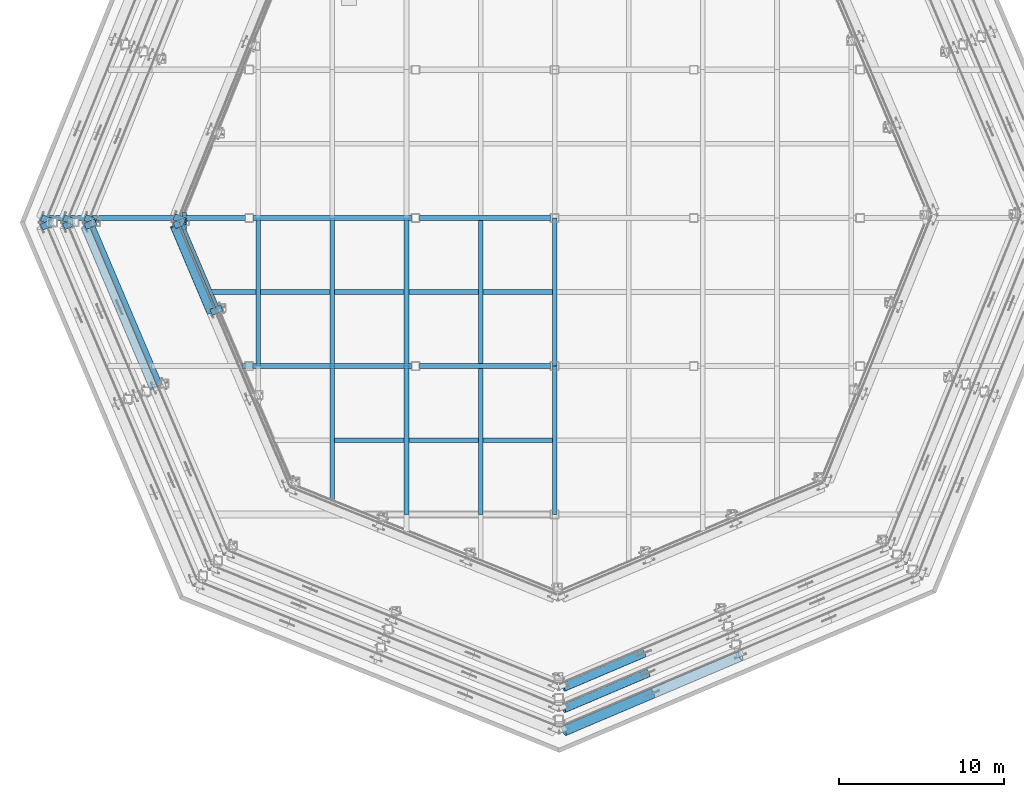
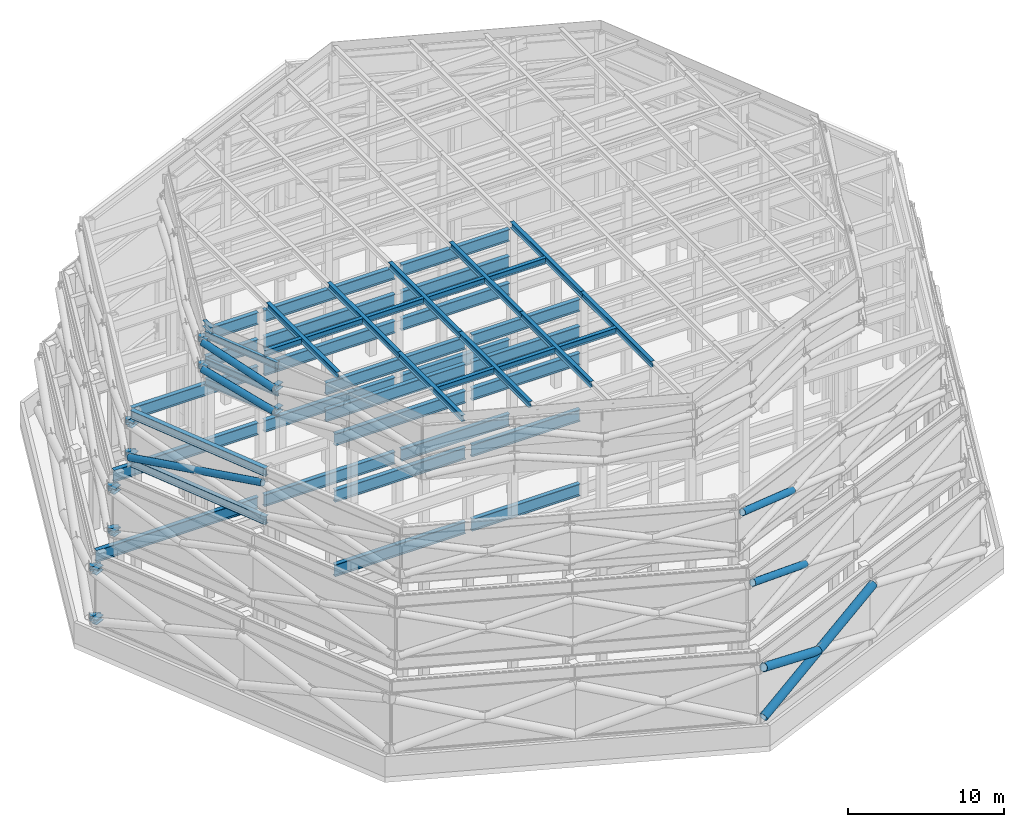
# One storey, part 5 of 19: 48 beams, 25 members.
"""IFC4 building model written with IfcOpenShell, lengths in metres."""

from ifc_helpers import new_model, si_unit, direction, frame, origin, origin_2d, place, context, subcontext, project, spatial, hollow_circle, i_section, extrude, material, material_profile, profile_set, type_object, element, save


model = new_model("IFC4")

# Units and contexts
model_context = context("Model", 3, precision=1e-05, world=origin(), true_north=direction((0.0, 1.0)))
body_context = subcontext(model_context, "Body", "Model", "MODEL_VIEW")
ifc_project = project(units=[si_unit("LENGTHUNIT", "METRE"), si_unit("AREAUNIT", "SQUARE_METRE"), si_unit("VOLUMEUNIT", "CUBIC_METRE"), si_unit("PLANEANGLEUNIT", "RADIAN"), si_unit("MASSUNIT", "GRAM", prefix="KILO")], contexts=[model_context])

# Site, building, storey
site_placement = place(None, origin())
site = spatial("IfcSite", under=ifc_project, at=site_placement, CompositionType="ELEMENT")
building_placement = place(site_placement, origin())
building = spatial("IfcBuilding", under=site, at=building_placement, Name="Orlundy Tower", CompositionType="ELEMENT")
storey_placement = place(building_placement, frame((0.0, 0.0, 304.300048828125)))
storey = spatial("IfcBuildingStorey", under=building, at=storey_placement, Name="Roof", CompositionType="ELEMENT", Elevation=304.300048828125)

# Beams
ifc_material_1 = material(Name="Steel ASTM A992 Gr 50", Category="steel")
ifc_material_profile_1 = material_profile(ifc_material_1, i_section(OverallWidth=0.2802734375, OverallDepth=0.46240234375, WebThickness=0.0107421875, FlangeThickness=0.017333984375, at=origin_2d()), Name="W18X76")
ifc_profile_set_1 = profile_set([ifc_material_profile_1], Name="Steel ASTM A992 Gr 50")
beam_type_1 = type_object("IfcBeamType", Name="CROWN FRAME beam W18X76", PredefinedType="BEAM", material=ifc_profile_set_1)
beam_1_placement = place(storey_placement, frame((-22.5, -0.705322265625, 21.131103515625), z_axis=(0.0, 1.0, 0.0), x_axis=(-1.0, 0.0, 0.0)))
element("IfcBeam", 1, at=beam_1_placement, inside=storey, type_object=beam_type_1, Name="CROWN FRAME secondary beam 01A", PredefinedType="BEAM", context=body_context, shape_type="SweptSolid", body=[
    extrude(i_section(OverallWidth=0.2802734375, OverallDepth=0.46240234375, WebThickness=0.0107421875, FlangeThickness=0.017333984375, at=origin_2d()), origin(), (0.0, 0.0, 1.0), 1.039794921875),
])
beam_2_placement = place(storey_placement, frame((-18.0, -9.0, 21.131103515625), z_axis=(0.0, 1.0, 0.0), x_axis=(-1.0, 0.0, 0.0)))
element("IfcBeam", 2, at=beam_2_placement, inside=storey, type_object=beam_type_1, Name="CROWN FRAME secondary beam 02B", PredefinedType="BEAM", context=body_context, shape_type="SweptSolid", body=[
    extrude(i_section(OverallWidth=0.2802734375, OverallDepth=0.46240234375, WebThickness=0.0107421875, FlangeThickness=0.017333984375, at=origin_2d()), origin(), (0.0, 0.0, 1.0), 9.0),
])
beam_3_placement = place(storey_placement, frame((-13.5, -17.180908203125, 21.131103515625), z_axis=(0.0, 1.0, 0.0), x_axis=(-1.0, 0.0, 0.0)))
element("IfcBeam", 3, at=beam_3_placement, inside=storey, type_object=beam_type_1, Name="CROWN FRAME secondary beam 03A", PredefinedType="BEAM", context=body_context, shape_type="SweptSolid", body=[
    extrude(i_section(OverallWidth=0.2802734375, OverallDepth=0.46240234375, WebThickness=0.0107421875, FlangeThickness=0.017333984375, at=origin_2d()), origin(), (0.0, 0.0, 1.0), 8.180908203125),
])
for number, where, z_axis, x_axis, name in (
    (4, (-13.5, -9.0, 21.131103515625), (0.0, 1.0, 0.0), (-1.0, 0.0, 0.0), "CROWN FRAME secondary beam 03B"),
    (5, (-9.0, -18.0, 21.131103515625), (0.0, 1.0, 0.0), (-1.0, 0.0, 0.0), "CROWN FRAME secondary beam 04B"),
    (6, (-9.0, -9.0, 21.131103515625), (0.0, 1.0, 0.0), (-1.0, 0.0, 0.0), "CROWN FRAME secondary beam 04C"),
    (7, (-4.5, -18.0, 21.131103515625), (0.0, 1.0, 0.0), (-1.0, 0.0, 0.0), "CROWN FRAME secondary beam 05B"),
    (8, (-4.5, -9.0, 21.131103515625), (0.0, 1.0, 0.0), (-1.0, 0.0, 0.0), "CROWN FRAME secondary beam 05C"),
    (9, (0.0, -18.0, 21.131103515625), (0.0, 1.0, 0.0), (-1.0, 0.0, 0.0), "CROWN FRAME secondary beam 06B"),
    (10, (0.0, -9.0, 21.131103515625), (0.0, 1.0, 0.0), (-1.0, 0.0, 0.0), "CROWN FRAME secondary beam 06C"),
):
    element("IfcBeam", number, at=place(storey_placement, frame(where, z_axis=z_axis, x_axis=x_axis)), inside=storey, type_object=beam_type_1, Name=name, PredefinedType="BEAM", context=body_context, shape_type="SweptSolid", body=[
        extrude(i_section(OverallWidth=0.2802734375, OverallDepth=0.46240234375, WebThickness=0.0107421875, FlangeThickness=0.017333984375, at=origin_2d()), origin(), (0.0, 0.0, 1.0), 9.0),
    ])
for number, where, z_axis, x_axis, name in (
    (11, (-13.35986328125, -13.5, 21.131103515625), (1.0, 0.0, 0.0), (0.0, 1.0, 0.0), "CROWN FRAME cap cross beam 1B"),
    (12, (-8.85986328125, -13.5, 21.131103515625), (1.0, 0.0, 0.0), (0.0, 1.0, 0.0), "CROWN FRAME cap cross beam 1C"),
    (13, (-4.35986328125, -13.5, 21.131103515625), (1.0, 0.0, 0.0), (0.0, 1.0, 0.0), "CROWN FRAME cap cross beam 1D"),
):
    element("IfcBeam", number, at=place(storey_placement, frame(where, z_axis=z_axis, x_axis=x_axis)), inside=storey, type_object=beam_type_1, Name=name, PredefinedType="BEAM", context=body_context, shape_type="SweptSolid", body=[
        extrude(i_section(OverallWidth=0.2802734375, OverallDepth=0.46240234375, WebThickness=0.0107421875, FlangeThickness=0.017333984375, at=origin_2d()), origin(), (0.0, 0.0, 1.0), 4.2197265625),
    ])
beam_4_placement = place(storey_placement, frame((-20.889404296875, -4.5, 21.131103515625), z_axis=(1.0, 0.0, 0.0), x_axis=(0.0, 1.0, 0.0)))
element("IfcBeam", 14, at=beam_4_placement, inside=storey, type_object=beam_type_1, Name="CROWN FRAME cap cross beam 2A", PredefinedType="BEAM", context=body_context, shape_type="SweptSolid", body=[
    extrude(i_section(OverallWidth=0.2802734375, OverallDepth=0.46240234375, WebThickness=0.0107421875, FlangeThickness=0.017333984375, at=origin_2d()), origin(), (0.0, 0.0, 1.0), 2.749267578125),
])
for number, where, z_axis, x_axis, name in (
    (15, (-17.85986328125, -4.5, 21.131103515625), (1.0, 0.0, 0.0), (0.0, 1.0, 0.0), "CROWN FRAME cap cross beam 2B"),
    (16, (-13.35986328125, -4.5, 21.131103515625), (1.0, 0.0, 0.0), (0.0, 1.0, 0.0), "CROWN FRAME cap cross beam 2C"),
    (17, (-8.85986328125, -4.5, 21.131103515625), (1.0, 0.0, 0.0), (0.0, 1.0, 0.0), "CROWN FRAME cap cross beam 2D"),
    (18, (-4.35986328125, -4.5, 21.131103515625), (1.0, 0.0, 0.0), (0.0, 1.0, 0.0), "CROWN FRAME cap cross beam 2E"),
):
    element("IfcBeam", number, at=place(storey_placement, frame(where, z_axis=z_axis, x_axis=x_axis)), inside=storey, type_object=beam_type_1, Name=name, PredefinedType="BEAM", context=body_context, shape_type="SweptSolid", body=[
        extrude(i_section(OverallWidth=0.2802734375, OverallDepth=0.46240234375, WebThickness=0.0107421875, FlangeThickness=0.017333984375, at=origin_2d()), origin(), (0.0, 0.0, 1.0), 4.2197265625),
    ])
ifc_material_2 = material(Name="Steel ASTM A992 Gr 50", Category="steel")
ifc_material_profile_2 = material_profile(ifc_material_2, i_section(OverallWidth=0.2138671875, OverallDepth=0.549072265625, WebThickness=0.0146484375, FlangeThickness=0.023681640625, at=origin_2d()), Name="W21X93")
ifc_profile_set_2 = profile_set([ifc_material_profile_2], Name="Steel ASTM A992 Gr 50")
beam_type_2 = type_object("IfcBeamType", Name="CROWN FRAME beam W21X93", PredefinedType="BEAM", material=ifc_profile_set_2)
for number, where, z_axis, x_axis, name in (
    (19, (-22.715087890625, -0.198486328125, 16.974365234375), (0.390721951602, -0.920508748756, 0.0), (0.920508748756, 0.390721951602, 0.0), "CROWN FRAME foot ring beam 4-10"),
    (20, (-22.715087890625, -0.198486328125, 18.525390625), (0.390721951602, -0.920508748756, 0.0), (0.920508748756, 0.390721951602, 0.0), "CROWN FRAME head ring beam 4-10"),
    (21, (-22.715087890625, -0.198486328125, 20.62548828125), (0.390721951602, -0.920508748756, 0.0), (0.920508748756, 0.390721951602, 0.0), "CROWN FRAME head ring beam 5-10"),
):
    element("IfcBeam", number, at=place(storey_placement, frame(where, z_axis=z_axis, x_axis=x_axis)), inside=storey, type_object=beam_type_2, Name=name, PredefinedType="BEAM", context=body_context, shape_type="SweptSolid", body=[
        extrude(i_section(OverallWidth=0.2138671875, OverallDepth=0.549072265625, WebThickness=0.0146484375, FlangeThickness=0.023681640625, at=origin_2d()), origin(), (0.0, 0.0, 1.0), 5.82861328125),
    ])
ifc_material_3 = material(Name="Steel ASTM A992 Gr 50", Category="steel")
ifc_material_profile_3 = material_profile(ifc_material_3, i_section(OverallWidth=0.3291015625, OverallDepth=0.635009765625, WebThickness=0.017822265625, FlangeThickness=0.031005859375, at=origin_2d()), Name="W24X162")
ifc_profile_set_3 = profile_set([ifc_material_profile_3], Name="Steel ASTM A992 Gr 50")
beam_type_3 = type_object("IfcBeamType", Name="CROWN FRAME beam W24X162", PredefinedType="BEAM", material=ifc_profile_set_3)
for number, where, z_axis, x_axis, name in (
    (22, (-28.189208984375, -0.24609375, 12.617431640625), (0.390721288437, -0.920509030245, 0.0), (0.920509030245, 0.390721288437, 0.0), "CROWN FRAME foot ring beam 3-07"),
    (23, (-28.189208984375, -0.24609375, 16.382568359375), (0.390721288437, -0.920509030245, 0.0), (0.920509030245, 0.390721288437, 0.0), "CROWN FRAME head ring beam 3-07"),
):
    element("IfcBeam", number, at=place(storey_placement, frame(where, z_axis=z_axis, x_axis=x_axis)), inside=storey, type_object=beam_type_3, Name=name, PredefinedType="BEAM", context=body_context, shape_type="SweptSolid", body=[
        extrude(i_section(OverallWidth=0.3291015625, OverallDepth=0.635009765625, WebThickness=0.017822265625, FlangeThickness=0.031005859375, at=origin_2d()), origin(), (0.0, 0.0, 1.0), 10.7880859375),
    ])
ifc_material_4 = material(Name="Steel ASTM A992 Gr 50", Category="steel")
ifc_material_profile_4 = material_profile(ifc_material_4, i_section(OverallWidth=0.3076171875, OverallDepth=0.9267578125, WebThickness=0.01953125, FlangeThickness=0.031982421875, at=origin_2d()), Name="W36X194")
ifc_profile_set_4 = profile_set([ifc_material_profile_4], Name="Steel ASTM A992 Gr 50")
beam_type_4 = type_object("IfcBeamType", Name="CROWN FRAME beam W36X194", PredefinedType="BEAM", material=ifc_profile_set_4)
beam_5_placement = place(storey_placement, frame((-18.3212890625, -9.0, 6.03662109375), z_axis=(1.0, 0.0, 0.0), x_axis=(0.0, 1.0, 0.0)))
element("IfcBeam", 24, at=beam_5_placement, inside=storey, type_object=beam_type_4, Name="CROWN FRAME primary beam 2B frame 1", PredefinedType="BEAM", context=body_context, shape_type="SweptSolid", body=[
    extrude(i_section(OverallWidth=0.3076171875, OverallDepth=0.9267578125, WebThickness=0.01953125, FlangeThickness=0.031982421875, at=origin_2d()), origin(), (0.0, 0.0, 1.0), 9.642578125),
])
beam_6_placement = place(storey_placement, frame((-8.221435546875, -9.0, 6.03662109375), z_axis=(1.0, 0.0, 0.0), x_axis=(0.0, 1.0, 0.0)))
element("IfcBeam", 25, at=beam_6_placement, inside=storey, type_object=beam_type_4, Name="CROWN FRAME primary beam 2C frame 1", PredefinedType="BEAM", context=body_context, shape_type="SweptSolid", body=[
    extrude(i_section(OverallWidth=0.3076171875, OverallDepth=0.9267578125, WebThickness=0.01953125, FlangeThickness=0.031982421875, at=origin_2d()), origin(), (0.0, 0.0, 1.0), 7.992919921875),
])
beam_7_placement = place(storey_placement, frame((-30.72900390625, 0.0, 6.03662109375), z_axis=(1.0, 0.0, 0.0), x_axis=(0.0, 1.0, 0.0)))
element("IfcBeam", 26, at=beam_7_placement, inside=storey, type_object=beam_type_4, Name="CROWN FRAME primary beam 3A frame 1", PredefinedType="BEAM", context=body_context, shape_type="SweptSolid", body=[
    extrude(i_section(OverallWidth=0.3076171875, OverallDepth=0.9267578125, WebThickness=0.01953125, FlangeThickness=0.031982421875, at=origin_2d()), origin(), (0.0, 0.0, 1.0), 11.950439453125),
])
beam_8_placement = place(storey_placement, frame((-18.3212890625, 0.0, 6.03662109375), z_axis=(1.0, 0.0, 0.0), x_axis=(0.0, 1.0, 0.0)))
element("IfcBeam", 27, at=beam_8_placement, inside=storey, type_object=beam_type_4, Name="CROWN FRAME primary beam 3B frame 1", PredefinedType="BEAM", context=body_context, shape_type="SweptSolid", body=[
    extrude(i_section(OverallWidth=0.3076171875, OverallDepth=0.9267578125, WebThickness=0.01953125, FlangeThickness=0.031982421875, at=origin_2d()), origin(), (0.0, 0.0, 1.0), 9.642578125),
])
beam_9_placement = place(storey_placement, frame((-8.221435546875, 0.0, 6.03662109375), z_axis=(1.0, 0.0, 0.0), x_axis=(0.0, 1.0, 0.0)))
element("IfcBeam", 28, at=beam_9_placement, inside=storey, type_object=beam_type_4, Name="CROWN FRAME primary beam 3C frame 1", PredefinedType="BEAM", context=body_context, shape_type="SweptSolid", body=[
    extrude(i_section(OverallWidth=0.3076171875, OverallDepth=0.9267578125, WebThickness=0.01953125, FlangeThickness=0.031982421875, at=origin_2d()), origin(), (0.0, 0.0, 1.0), 7.992919921875),
])
beam_10_placement = place(storey_placement, frame((-18.3212890625, -9.0, 11.836669921875), z_axis=(1.0, 0.0, 0.0), x_axis=(0.0, 1.0, 0.0)))
element("IfcBeam", 29, at=beam_10_placement, inside=storey, type_object=beam_type_4, Name="CROWN FRAME primary beam 2B frame 2", PredefinedType="BEAM", context=body_context, shape_type="SweptSolid", body=[
    extrude(i_section(OverallWidth=0.3076171875, OverallDepth=0.9267578125, WebThickness=0.01953125, FlangeThickness=0.031982421875, at=origin_2d()), origin(), (0.0, 0.0, 1.0), 9.642578125),
])
beam_11_placement = place(storey_placement, frame((-8.221435546875, -9.0, 11.836669921875), z_axis=(1.0, 0.0, 0.0), x_axis=(0.0, 1.0, 0.0)))
element("IfcBeam", 30, at=beam_11_placement, inside=storey, type_object=beam_type_4, Name="CROWN FRAME primary beam 2C frame 2", PredefinedType="BEAM", context=body_context, shape_type="SweptSolid", body=[
    extrude(i_section(OverallWidth=0.3076171875, OverallDepth=0.9267578125, WebThickness=0.01953125, FlangeThickness=0.031982421875, at=origin_2d()), origin(), (0.0, 0.0, 1.0), 7.992919921875),
])
beam_12_placement = place(storey_placement, frame((-29.434814453125, 0.0, 11.836669921875), z_axis=(1.0, 0.0, 0.0), x_axis=(0.0, 1.0, 0.0)))
element("IfcBeam", 31, at=beam_12_placement, inside=storey, type_object=beam_type_4, Name="CROWN FRAME primary beam 3A frame 2", PredefinedType="BEAM", context=body_context, shape_type="SweptSolid", body=[
    extrude(i_section(OverallWidth=0.3076171875, OverallDepth=0.9267578125, WebThickness=0.01953125, FlangeThickness=0.031982421875, at=origin_2d()), origin(), (0.0, 0.0, 1.0), 10.65625),
])
beam_13_placement = place(storey_placement, frame((-18.3212890625, 0.0, 11.836669921875), z_axis=(1.0, 0.0, 0.0), x_axis=(0.0, 1.0, 0.0)))
element("IfcBeam", 32, at=beam_13_placement, inside=storey, type_object=beam_type_4, Name="CROWN FRAME primary beam 3B frame 2", PredefinedType="BEAM", context=body_context, shape_type="SweptSolid", body=[
    extrude(i_section(OverallWidth=0.3076171875, OverallDepth=0.9267578125, WebThickness=0.01953125, FlangeThickness=0.031982421875, at=origin_2d()), origin(), (0.0, 0.0, 1.0), 9.642578125),
])
beam_14_placement = place(storey_placement, frame((-8.221435546875, 0.0, 11.836669921875), z_axis=(1.0, 0.0, 0.0), x_axis=(0.0, 1.0, 0.0)))
element("IfcBeam", 33, at=beam_14_placement, inside=storey, type_object=beam_type_4, Name="CROWN FRAME primary beam 3C frame 2", PredefinedType="BEAM", context=body_context, shape_type="SweptSolid", body=[
    extrude(i_section(OverallWidth=0.3076171875, OverallDepth=0.9267578125, WebThickness=0.01953125, FlangeThickness=0.031982421875, at=origin_2d()), origin(), (0.0, 0.0, 1.0), 7.992919921875),
])
beam_15_placement = place(storey_placement, frame((-18.3212890625, -9.0, 16.236572265625), z_axis=(1.0, 0.0, 0.0), x_axis=(0.0, 1.0, 0.0)))
element("IfcBeam", 34, at=beam_15_placement, inside=storey, type_object=beam_type_4, Name="CROWN FRAME primary beam 2B frame 3", PredefinedType="BEAM", context=body_context, shape_type="SweptSolid", body=[
    extrude(i_section(OverallWidth=0.3076171875, OverallDepth=0.9267578125, WebThickness=0.01953125, FlangeThickness=0.031982421875, at=origin_2d()), origin(), (0.0, 0.0, 1.0), 9.642578125),
])
beam_16_placement = place(storey_placement, frame((-8.221435546875, -9.0, 16.236572265625), z_axis=(1.0, 0.0, 0.0), x_axis=(0.0, 1.0, 0.0)))
element("IfcBeam", 35, at=beam_16_placement, inside=storey, type_object=beam_type_4, Name="CROWN FRAME primary beam 2C frame 3", PredefinedType="BEAM", context=body_context, shape_type="SweptSolid", body=[
    extrude(i_section(OverallWidth=0.3076171875, OverallDepth=0.9267578125, WebThickness=0.01953125, FlangeThickness=0.031982421875, at=origin_2d()), origin(), (0.0, 0.0, 1.0), 7.992919921875),
])
beam_17_placement = place(storey_placement, frame((-28.08984375, 0.0, 16.236572265625), z_axis=(1.0, 0.0, 0.0), x_axis=(0.0, 1.0, 0.0)))
element("IfcBeam", 36, at=beam_17_placement, inside=storey, type_object=beam_type_4, Name="CROWN FRAME primary beam 3A frame 3", PredefinedType="BEAM", context=body_context, shape_type="SweptSolid", body=[
    extrude(i_section(OverallWidth=0.3076171875, OverallDepth=0.9267578125, WebThickness=0.01953125, FlangeThickness=0.031982421875, at=origin_2d()), origin(), (0.0, 0.0, 1.0), 9.311279296875),
])
beam_18_placement = place(storey_placement, frame((-18.3212890625, 0.0, 16.236572265625), z_axis=(1.0, 0.0, 0.0), x_axis=(0.0, 1.0, 0.0)))
element("IfcBeam", 37, at=beam_18_placement, inside=storey, type_object=beam_type_4, Name="CROWN FRAME primary beam 3B frame 3", PredefinedType="BEAM", context=body_context, shape_type="SweptSolid", body=[
    extrude(i_section(OverallWidth=0.3076171875, OverallDepth=0.9267578125, WebThickness=0.01953125, FlangeThickness=0.031982421875, at=origin_2d()), origin(), (0.0, 0.0, 1.0), 9.642578125),
])
beam_19_placement = place(storey_placement, frame((-8.221435546875, 0.0, 16.236572265625), z_axis=(1.0, 0.0, 0.0), x_axis=(0.0, 1.0, 0.0)))
element("IfcBeam", 38, at=beam_19_placement, inside=storey, type_object=beam_type_4, Name="CROWN FRAME primary beam 3C frame 3", PredefinedType="BEAM", context=body_context, shape_type="SweptSolid", body=[
    extrude(i_section(OverallWidth=0.3076171875, OverallDepth=0.9267578125, WebThickness=0.01953125, FlangeThickness=0.031982421875, at=origin_2d()), origin(), (0.0, 0.0, 1.0), 7.992919921875),
])
beam_20_placement = place(storey_placement, frame((-18.97900390625, -9.0, 18.336669921875), z_axis=(1.0, 0.0, 0.0), x_axis=(0.0, 1.0, 0.0)))
element("IfcBeam", 39, at=beam_20_placement, inside=storey, type_object=beam_type_4, Name="CROWN FRAME primary beam 2A frame 4", PredefinedType="BEAM", context=body_context, shape_type="SweptSolid", body=[
    extrude(i_section(OverallWidth=0.3076171875, OverallDepth=0.9267578125, WebThickness=0.01953125, FlangeThickness=0.031982421875, at=origin_2d()), origin(), (0.0, 0.0, 1.0), 10.30029296875),
])
beam_21_placement = place(storey_placement, frame((-8.221435546875, -9.0, 18.336669921875), z_axis=(1.0, 0.0, 0.0), x_axis=(0.0, 1.0, 0.0)))
element("IfcBeam", 40, at=beam_21_placement, inside=storey, type_object=beam_type_4, Name="CROWN FRAME primary beam 2B frame 4", PredefinedType="BEAM", context=body_context, shape_type="SweptSolid", body=[
    extrude(i_section(OverallWidth=0.3076171875, OverallDepth=0.9267578125, WebThickness=0.01953125, FlangeThickness=0.031982421875, at=origin_2d()), origin(), (0.0, 0.0, 1.0), 7.992919921875),
])
beam_22_placement = place(storey_placement, frame((-22.635009765625, 0.0, 18.336669921875), z_axis=(1.0, 0.0, 0.0), x_axis=(0.0, 1.0, 0.0)))
element("IfcBeam", 41, at=beam_22_placement, inside=storey, type_object=beam_type_4, Name="CROWN FRAME primary beam 3A frame 4", PredefinedType="BEAM", context=body_context, shape_type="SweptSolid", body=[
    extrude(i_section(OverallWidth=0.3076171875, OverallDepth=0.9267578125, WebThickness=0.01953125, FlangeThickness=0.031982421875, at=origin_2d()), origin(), (0.0, 0.0, 1.0), 3.8564453125),
])
beam_23_placement = place(storey_placement, frame((-18.3212890625, 0.0, 18.336669921875), z_axis=(1.0, 0.0, 0.0), x_axis=(0.0, 1.0, 0.0)))
element("IfcBeam", 42, at=beam_23_placement, inside=storey, type_object=beam_type_4, Name="CROWN FRAME primary beam 3B frame 4", PredefinedType="BEAM", context=body_context, shape_type="SweptSolid", body=[
    extrude(i_section(OverallWidth=0.3076171875, OverallDepth=0.9267578125, WebThickness=0.01953125, FlangeThickness=0.031982421875, at=origin_2d()), origin(), (0.0, 0.0, 1.0), 9.642578125),
])
beam_24_placement = place(storey_placement, frame((-8.221435546875, 0.0, 18.336669921875), z_axis=(1.0, 0.0, 0.0), x_axis=(0.0, 1.0, 0.0)))
element("IfcBeam", 43, at=beam_24_placement, inside=storey, type_object=beam_type_4, Name="CROWN FRAME primary beam 3C frame 4", PredefinedType="BEAM", context=body_context, shape_type="SweptSolid", body=[
    extrude(i_section(OverallWidth=0.3076171875, OverallDepth=0.9267578125, WebThickness=0.01953125, FlangeThickness=0.031982421875, at=origin_2d()), origin(), (0.0, 0.0, 1.0), 7.992919921875),
])
beam_25_placement = place(storey_placement, frame((-18.97900390625, -9.0, 20.4365234375), z_axis=(1.0, 0.0, 0.0), x_axis=(0.0, 1.0, 0.0)))
element("IfcBeam", 44, at=beam_25_placement, inside=storey, type_object=beam_type_4, Name="CROWN FRAME primary beam 2A frame 5", PredefinedType="BEAM", context=body_context, shape_type="SweptSolid", body=[
    extrude(i_section(OverallWidth=0.3076171875, OverallDepth=0.9267578125, WebThickness=0.01953125, FlangeThickness=0.031982421875, at=origin_2d()), origin(), (0.0, 0.0, 1.0), 10.30029296875),
])
beam_26_placement = place(storey_placement, frame((-8.221435546875, -9.0, 20.4365234375), z_axis=(1.0, 0.0, 0.0), x_axis=(0.0, 1.0, 0.0)))
element("IfcBeam", 45, at=beam_26_placement, inside=storey, type_object=beam_type_4, Name="CROWN FRAME primary beam 2B frame 5", PredefinedType="BEAM", context=body_context, shape_type="SweptSolid", body=[
    extrude(i_section(OverallWidth=0.3076171875, OverallDepth=0.9267578125, WebThickness=0.01953125, FlangeThickness=0.031982421875, at=origin_2d()), origin(), (0.0, 0.0, 1.0), 7.992919921875),
])
beam_27_placement = place(storey_placement, frame((-22.635009765625, 0.0, 20.4365234375), z_axis=(1.0, 0.0, 0.0), x_axis=(0.0, 1.0, 0.0)))
element("IfcBeam", 46, at=beam_27_placement, inside=storey, type_object=beam_type_4, Name="CROWN FRAME primary beam 3A frame 5", PredefinedType="BEAM", context=body_context, shape_type="SweptSolid", body=[
    extrude(i_section(OverallWidth=0.3076171875, OverallDepth=0.9267578125, WebThickness=0.01953125, FlangeThickness=0.031982421875, at=origin_2d()), origin(), (0.0, 0.0, 1.0), 3.8564453125),
])
beam_28_placement = place(storey_placement, frame((-18.3212890625, 0.0, 20.4365234375), z_axis=(1.0, 0.0, 0.0), x_axis=(0.0, 1.0, 0.0)))
element("IfcBeam", 47, at=beam_28_placement, inside=storey, type_object=beam_type_4, Name="CROWN FRAME primary beam 3B frame 5", PredefinedType="BEAM", context=body_context, shape_type="SweptSolid", body=[
    extrude(i_section(OverallWidth=0.3076171875, OverallDepth=0.9267578125, WebThickness=0.01953125, FlangeThickness=0.031982421875, at=origin_2d()), origin(), (0.0, 0.0, 1.0), 9.642578125),
])
beam_29_placement = place(storey_placement, frame((-8.221435546875, 0.0, 20.4365234375), z_axis=(1.0, 0.0, 0.0), x_axis=(0.0, 1.0, 0.0)))
element("IfcBeam", 48, at=beam_29_placement, inside=storey, type_object=beam_type_4, Name="CROWN FRAME primary beam 3C frame 5", PredefinedType="BEAM", context=body_context, shape_type="SweptSolid", body=[
    extrude(i_section(OverallWidth=0.3076171875, OverallDepth=0.9267578125, WebThickness=0.01953125, FlangeThickness=0.031982421875, at=origin_2d()), origin(), (0.0, 0.0, 1.0), 7.992919921875),
])

# Members
ifc_material_5 = material(Name="Steel ASTM A500 Gr C", Category="steel")
ifc_material_profile_5 = material_profile(ifc_material_5, hollow_circle(Radius=0.25390625, WallThickness=0.01171875, at=origin_2d()), Name="HSS20.000X0.500")
ifc_profile_set_5 = profile_set([ifc_material_profile_5], Name="Steel ASTM A500 Gr C")
member_type_1 = type_object("IfcMemberType", Name="CROWN FRAME diagonal HSS20.000X0.500", PredefinedType="BRACE", material=ifc_profile_set_5)
member_1_placement = place(storey_placement, frame((5.66845703125, -27.63623046875, 9.39990234375), z_axis=(-0.882621940422, -0.374617267841, 0.283972556632), x_axis=(0.390701508026, -0.920517426031, 0.0)))
element("IfcMember", 49, at=member_1_placement, inside=storey, type_object=member_type_1, Name="CROWN FRAME brace 2-11bb", PredefinedType="BRACE", context=body_context, shape_type="SweptSolid", body=[
    extrude(hollow_circle(Radius=0.25390625, WallThickness=0.01171875, at=origin_2d()), origin(), (0.0, 0.0, 1.0), 5.8203125),
])
member_2_placement = place(storey_placement, frame((-28.517822265625, -0.52001953125, 13.23486328125), z_axis=(0.380172884687, -0.895646062431, 0.230839140096), x_axis=(0.920507187078, 0.390725630766, 0.0)))
element("IfcMember", 50, at=member_2_placement, inside=storey, type_object=member_type_1, Name="CROWN FRAME brace 3-07a", PredefinedType="BRACE", context=body_context, shape_type="SweptSolid", body=[
    extrude(hollow_circle(Radius=0.25390625, WallThickness=0.01171875, at=origin_2d()), origin(), (0.0, 0.0, 1.0), 10.960205078125),
])
member_3_placement = place(storey_placement, frame((5.42822265625, -26.4345703125, 14.5), z_axis=(-0.895658252416, -0.38015578332, 0.230820006256), x_axis=(0.390706231965, -0.920515421003, 0.0)))
element("IfcMember", 51, at=member_3_placement, inside=storey, type_object=member_type_1, Name="CROWN FRAME brace 3-11bb", PredefinedType="BRACE", context=body_context, shape_type="SweptSolid", body=[
    extrude(hollow_circle(Radius=0.25390625, WallThickness=0.01171875, at=origin_2d()), origin(), (0.0, 0.0, 1.0), 5.47998046875),
])
member_4_placement = place(storey_placement, frame((-20.86767578125, -5.74609375, 17.299072265625), z_axis=(-0.385990047996, 0.909301454544, 0.155507387643), x_axis=(-0.920499581139, -0.390743549049, 0.0)))
element("IfcMember", 52, at=member_4_placement, inside=storey, type_object=member_type_1, Name="CROWN FRAME brace 4-10b", PredefinedType="BRACE", context=body_context, shape_type="SweptSolid", body=[
    extrude(hollow_circle(Radius=0.25390625, WallThickness=0.01171875, at=origin_2d()), origin(), (0.0, 0.0, 1.0), 5.79931640625),
])
member_5_placement = place(storey_placement, frame((-20.86767578125, -5.74609375, 19.099853515625), z_axis=(-0.382431227207, 0.900917712693, 0.205167325404), x_axis=(-0.920499581139, -0.390743549049, 0.0)))
element("IfcMember", 53, at=member_5_placement, inside=storey, type_object=member_type_1, Name="CROWN FRAME brace 5-10b", PredefinedType="BRACE", context=body_context, shape_type="SweptSolid", body=[
    extrude(hollow_circle(Radius=0.25390625, WallThickness=0.01171875, at=origin_2d()), origin(), (0.0, 0.0, 1.0), 5.853515625),
])
ifc_material_6 = material(Name="Steel ASTM A1085 Gr A", Category="steel")
ifc_material_profile_6 = material_profile(ifc_material_6, hollow_circle(Radius=0.3046875, WallThickness=0.023681640625, at=origin_2d()), Name="HSS24.000X1.000")
ifc_profile_set_6 = profile_set([ifc_material_profile_6], Name="Steel ASTM A1085 Gr A")
member_type_2 = type_object("IfcMemberType", Name="CROWN FRAME diagonal HSS24.000X1.000", PredefinedType="BRACE", material=ifc_profile_set_6)
member_6_placement = place(storey_placement, frame((0.5625, -31.162353515625, 1.3681640625), z_axis=(0.873302092117, 0.370701907246, 0.316106867795), x_axis=(-0.390737525222, 0.920502138174, 0.0)))
element("IfcMember", 54, at=member_6_placement, inside=storey, type_object=member_type_2, Name="CROWN FRAME brace 1-11a", PredefinedType="BRACE", context=body_context, shape_type="SweptSolid", body=[
    extrude(hollow_circle(Radius=0.3046875, WallThickness=0.023681640625, at=origin_2d()), origin(), (0.0, 0.0, 1.0), 12.28857421875),
])
member_7_placement = place(storey_placement, frame((5.92822265625, -28.884521484375, 3.310302734375), z_axis=(-0.873285460024, -0.370723147785, 0.316127906086), x_axis=(0.390762801081, -0.920491408592, 0.0)))
element("IfcMember", 55, at=member_7_placement, inside=storey, type_object=member_type_2, Name="CROWN FRAME brace 1-11bb", PredefinedType="BRACE", context=body_context, shape_type="SweptSolid", body=[
    extrude(hollow_circle(Radius=0.3046875, WallThickness=0.023681640625, at=origin_2d()), origin(), (0.0, 0.0, 1.0), 6.144287109375),
])
ifc_material_7 = material(Name="Steel ASTM A992 Gr 50", Category="steel")
ifc_material_profile_7 = material_profile(ifc_material_7, i_section(OverallWidth=0.39892578125, OverallDepth=0.393310546875, WebThickness=0.022705078125, FlangeThickness=0.03662109375, at=origin_2d()), Name="W14X193")
ifc_profile_set_7 = profile_set([ifc_material_profile_7], Name="Steel ASTM A992 Gr 50")
member_type_3 = type_object("IfcMemberType", Name="CROWN FRAME strut W14X193", PredefinedType="STRUT", material=ifc_profile_set_7)
for number, where, z_axis, x_axis, name in (
    (56, (-30.4638671875, -0.26611328125, 5.252685546875), (-0.927117200346, 0.374771526163, 0.0), (-0.374771526163, -0.927117200346, 0.0), "CROWN FRAME brace connector 1-06A1"),
    (57, (-30.4638671875, -0.26611328125, 1.3681640625), (-0.927117200346, 0.374771526163, 0.0), (-0.374771526163, -0.927117200346, 0.0), "CROWN FRAME brace connector 1-06B0"),
):
    element("IfcMember", number, at=place(storey_placement, frame(where, z_axis=z_axis, x_axis=x_axis)), inside=storey, type_object=member_type_3, Name=name, PredefinedType="STRUT", context=body_context, shape_type="SweptSolid", body=[
        extrude(i_section(OverallWidth=0.39892578125, OverallDepth=0.393310546875, WebThickness=0.022705078125, FlangeThickness=0.03662109375, at=origin_2d()), origin(), (0.0, 0.0, 1.0), 0.759033203125),
    ])
for number, where, z_axis, x_axis, name in (
    (58, (-30.4638671875, -0.26611328125, 1.3681640625), (-0.9205537351, -0.390615950511, 0.0), (0.390615950511, -0.9205537351, 0.0), "CROWN FRAME brace connector 1-07A0"),
    (59, (-30.4638671875, -0.26611328125, 5.252685546875), (-0.9205537351, -0.390615950511, 0.0), (0.390615950511, -0.9205537351, 0.0), "CROWN FRAME brace connector 1-07B1"),
):
    element("IfcMember", number, at=place(storey_placement, frame(where, z_axis=z_axis, x_axis=x_axis)), inside=storey, type_object=member_type_3, Name=name, PredefinedType="STRUT", context=body_context, shape_type="SweptSolid", body=[
        extrude(i_section(OverallWidth=0.39892578125, OverallDepth=0.393310546875, WebThickness=0.022705078125, FlangeThickness=0.03662109375, at=origin_2d()), origin(), (0.0, 0.0, 1.0), 0.7587890625),
    ])
for number, where, z_axis, x_axis, name in (
    (60, (-29.1650390625, -0.254638671875, 11.052734375), (-0.927234929482, 0.374480153744, 0.0), (-0.374480153744, -0.927234929482, 0.0), "CROWN FRAME brace connector 2-06A1"),
    (61, (-29.1650390625, -0.254638671875, 7.7470703125), (-0.927234929482, 0.374480153744, 0.0), (-0.374480153744, -0.927234929482, 0.0), "CROWN FRAME brace connector 2-06B0"),
    (62, (-29.1650390625, -0.254638671875, 7.7470703125), (-0.920495337048, -0.390753546975, 0.0), (0.390753546975, -0.920495337048, 0.0), "CROWN FRAME brace connector 2-07A0"),
    (63, (-29.1650390625, -0.254638671875, 11.052734375), (-0.920495337048, -0.390753546975, 0.0), (0.390753546975, -0.920495337048, 0.0), "CROWN FRAME brace connector 2-07B1"),
    (64, (-27.8662109375, -0.243408203125, 15.764892578125), (-0.927115163542, 0.374776564809, 0.0), (-0.374776564809, -0.927115163542, 0.0), "CROWN FRAME brace connector 3-06A1"),
    (65, (-27.8662109375, -0.243408203125, 13.23486328125), (-0.927115163542, 0.374776564809, 0.0), (-0.374776564809, -0.927115163542, 0.0), "CROWN FRAME brace connector 3-06B0"),
    (66, (-27.8662109375, -0.243408203125, 13.23486328125), (-0.920495337048, -0.390753546975, 0.0), (0.390753546975, -0.920495337048, 0.0), "CROWN FRAME brace connector 3-07A0"),
    (67, (-27.8662109375, -0.243408203125, 15.764892578125), (-0.920495337048, -0.390753546975, 0.0), (0.390753546975, -0.920495337048, 0.0), "CROWN FRAME brace connector 3-07B1"),
):
    element("IfcMember", number, at=place(storey_placement, frame(where, z_axis=z_axis, x_axis=x_axis)), inside=storey, type_object=member_type_3, Name=name, PredefinedType="STRUT", context=body_context, shape_type="SweptSolid", body=[
        extrude(i_section(OverallWidth=0.39892578125, OverallDepth=0.393310546875, WebThickness=0.022705078125, FlangeThickness=0.03662109375, at=origin_2d()), origin(), (0.0, 0.0, 1.0), 0.7080078125),
    ])
member_8_placement = place(storey_placement, frame((-22.45458984375, -0.196044921875, 18.200927734375), z_axis=(-0.927186549588, 0.374599922936, 0.0), x_axis=(-0.374599922936, -0.927186549588, 0.0)))
element("IfcMember", 68, at=member_8_placement, inside=storey, type_object=member_type_3, Name="CROWN FRAME brace connector 4-09A1", PredefinedType="STRUT", context=body_context, shape_type="SweptSolid", body=[
    extrude(i_section(OverallWidth=0.39892578125, OverallDepth=0.393310546875, WebThickness=0.022705078125, FlangeThickness=0.03662109375, at=origin_2d()), origin(), (0.0, 0.0, 1.0), 0.707763671875),
])
for number, where, z_axis, x_axis, name in (
    (69, (-20.216064453125, -5.469482421875, 17.299072265625), (-0.920495337048, -0.390753546975, 0.0), (0.390753546975, -0.920495337048, 0.0), "CROWN FRAME brace connector 4-10B0"),
    (70, (-22.45458984375, -0.196044921875, 18.200927734375), (-0.920495337048, -0.390753546975, 0.0), (0.390753546975, -0.920495337048, 0.0), "CROWN FRAME brace connector 4-10B1"),
):
    element("IfcMember", number, at=place(storey_placement, frame(where, z_axis=z_axis, x_axis=x_axis)), inside=storey, type_object=member_type_3, Name=name, PredefinedType="STRUT", context=body_context, shape_type="SweptSolid", body=[
        extrude(i_section(OverallWidth=0.39892578125, OverallDepth=0.393310546875, WebThickness=0.022705078125, FlangeThickness=0.03662109375, at=origin_2d()), origin(), (0.0, 0.0, 1.0), 0.7080078125),
    ])
member_9_placement = place(storey_placement, frame((-22.45458984375, -0.196044921875, 20.30078125), z_axis=(-0.927186549588, 0.374599922936, 0.0), x_axis=(-0.374599922936, -0.927186549588, 0.0)))
element("IfcMember", 71, at=member_9_placement, inside=storey, type_object=member_type_3, Name="CROWN FRAME brace connector 5-09A1", PredefinedType="STRUT", context=body_context, shape_type="SweptSolid", body=[
    extrude(i_section(OverallWidth=0.39892578125, OverallDepth=0.393310546875, WebThickness=0.022705078125, FlangeThickness=0.03662109375, at=origin_2d()), origin(), (0.0, 0.0, 1.0), 0.707763671875),
])
for number, where, z_axis, x_axis, name in (
    (72, (-20.216064453125, -5.469482421875, 19.099853515625), (-0.920495337048, -0.390753546975, 0.0), (0.390753546975, -0.920495337048, 0.0), "CROWN FRAME brace connector 5-10B0"),
    (73, (-22.45458984375, -0.196044921875, 20.30078125), (-0.920495337048, -0.390753546975, 0.0), (0.390753546975, -0.920495337048, 0.0), "CROWN FRAME brace connector 5-10B1"),
):
    element("IfcMember", number, at=place(storey_placement, frame(where, z_axis=z_axis, x_axis=x_axis)), inside=storey, type_object=member_type_3, Name=name, PredefinedType="STRUT", context=body_context, shape_type="SweptSolid", body=[
        extrude(i_section(OverallWidth=0.39892578125, OverallDepth=0.393310546875, WebThickness=0.022705078125, FlangeThickness=0.03662109375, at=origin_2d()), origin(), (0.0, 0.0, 1.0), 0.7080078125),
    ])

save(model, "model.ifc")
